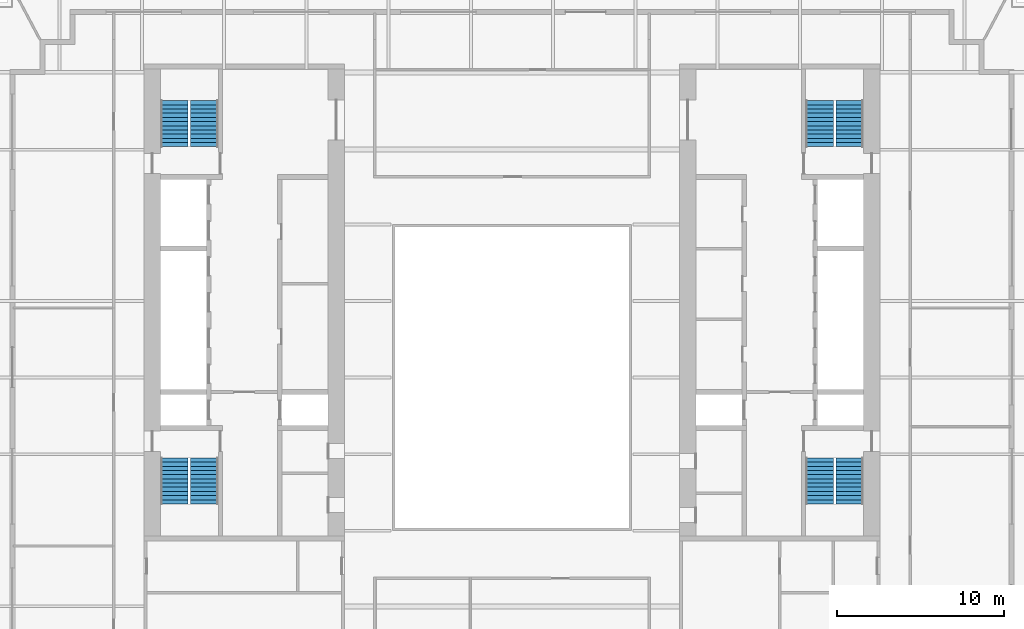
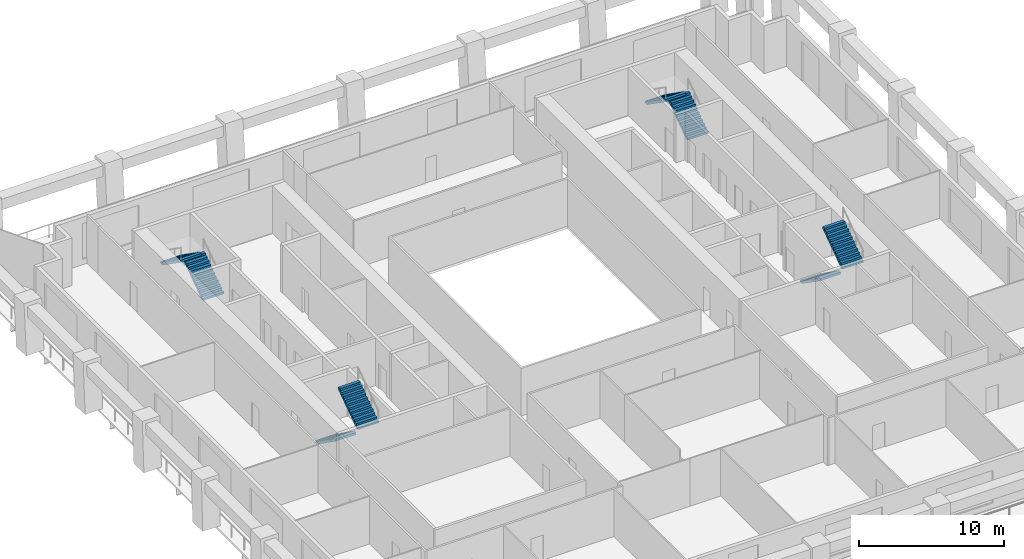
# One storey, part 8 of 9: 8 stair flights, 4 elements without a shape of their own.
"""IFC4 building model written with IfcOpenShell, lengths in metres."""

import ifcopenshell
import ifcopenshell.guid

model = None  # the IFC model being written
_history = None  # IfcOwnerHistory: only IFC2X3 demands one
_inside = {}  # id of a spatial element -> (the spatial element, [elements in it])
_under = {}  # id of a project, library or spatial element -> (it, [spatial elements below it])
_declared = {}  # id of a project -> (the project, [libraries it declares])
_typed = {}  # id of a type object -> (the type object, [elements of that type])
_made_of = {}  # id of a material, layer set ... -> (it, [elements and type objects made of it])


def new_model(schema):
    """Start an empty IFC model of exactly this schema.

    Asked for "IFC4X3", IfcOpenShell would pick the latest addendum, in which some entities
    have other attributes; the version numbers below select the first issue.
    IFC2X3 requires an IfcOwnerHistory on every rooted entity: one is made here for all.
    """
    global model, _history
    if schema == "IFC4X3":
        model = ifcopenshell.file(schema_version=(4, 3, 0, 0))
    else:
        model = ifcopenshell.file(schema=schema)
    _inside.clear()
    _under.clear()
    _declared.clear()
    _typed.clear()
    _made_of.clear()
    _history = None
    if model.schema == "IFC2X3":
        org = make("IfcOrganization", Name="unknown")
        user = make(
            "IfcPersonAndOrganization",
            ThePerson=make("IfcPerson", FamilyName="unknown"),
            TheOrganization=org,
        )
        app = make(
            "IfcApplication",
            ApplicationDeveloper=org,
            Version="unknown",
            ApplicationFullName="unknown",
            ApplicationIdentifier="unknown",
        )
        _history = make(
            "IfcOwnerHistory",
            OwningUser=user,
            OwningApplication=app,
            ChangeAction="ADDED",
            CreationDate=0,
        )
    return model


def make(cls, **values):
    """One entity of the class cls with the attributes given. An attribute that is None is left unset."""
    return model.create_entity(
        cls, **{name: value for name, value in values.items() if value is not None}
    )


def rooted(cls, **values):
    """An entity with a GlobalId (a new one), such as an element, a storey or a relation."""
    return make(cls, GlobalId=ifcopenshell.guid.new(), OwnerHistory=_history, **values)


def si_unit(unit_type, name, prefix=None):
    """IfcSIUnit, for example si_unit("LENGTHUNIT", "METRE", prefix="MILLI")."""
    return make("IfcSIUnit", UnitType=unit_type, Prefix=prefix, Name=name)


def assignment(units):
    """IfcUnitAssignment: the units of a project."""
    return None if units is None else make("IfcUnitAssignment", Units=units)


def point(xyz):
    """IfcCartesianPoint."""
    return None if xyz is None else make("IfcCartesianPoint", Coordinates=xyz)


def direction(xyz):
    """IfcDirection."""
    return None if xyz is None else make("IfcDirection", DirectionRatios=xyz)


def frame(location, z_axis=None, x_axis=None):
    """IfcAxis2Placement3D, a coordinate frame: its origin and axes. An axis left out is left unset."""
    return make(
        "IfcAxis2Placement3D",
        Location=point(location),
        Axis=direction(z_axis),
        RefDirection=direction(x_axis),
    )


def origin():
    """The frame at (0, 0, 0) with its axes left unset."""
    return frame((0.0, 0.0, 0.0))


def place(relative_to, where):
    """IfcLocalPlacement: puts the frame where relative to a parent placement (None: the world)."""
    return make(
        "IfcLocalPlacement", PlacementRelTo=relative_to, RelativePlacement=where
    )


def context(
    kind, dimensions, precision=None, world=None, true_north=None, identifier=None
):
    """IfcGeometricRepresentationContext, for example the 3D "Model" context."""
    return make(
        "IfcGeometricRepresentationContext",
        ContextIdentifier=identifier,
        ContextType=kind,
        CoordinateSpaceDimension=dimensions,
        Precision=precision,
        WorldCoordinateSystem=world,
        TrueNorth=true_north,
    )


def subcontext(parent, identifier, kind, view, scale=None):
    """IfcGeometricRepresentationSubContext, for example "Body" below "Model"."""
    return make(
        "IfcGeometricRepresentationSubContext",
        ContextIdentifier=identifier,
        ContextType=kind,
        ParentContext=parent,
        TargetScale=scale,
        TargetView=view,
    )


def project(units=None, contexts=None):
    """IfcProject with its units and contexts."""
    return rooted(
        "IfcProject",
        Name="project",
        RepresentationContexts=contexts,
        UnitsInContext=assignment(units),
    )


def spatial(cls, under=None, at=None, **own):
    """A site, building, storey or space (cls), placed at a placement, below another one or the project."""
    s = rooted(cls, ObjectPlacement=at, **own)
    if under is not None:
        _under.setdefault(under.id(), (under, []))[1].append(s)
    return s


def polyline(points):
    """IfcPolyline through the points."""
    return make("IfcPolyline", Points=[point(p) for p in points])


def outline(outer, holes=None, kind="AREA"):
    """IfcArbitraryClosedProfileDef: a profile drawn as a closed curve; with holes, ...WithVoids."""
    if holes is None:
        return make("IfcArbitraryClosedProfileDef", ProfileType=kind, OuterCurve=outer)
    return make(
        "IfcArbitraryProfileDefWithVoids",
        ProfileType=kind,
        OuterCurve=outer,
        InnerCurves=holes,
    )


def extrude(swept, where, along, depth):
    """IfcExtrudedAreaSolid: the profile swept, set in the frame where, extruded along a direction by depth."""
    return make(
        "IfcExtrudedAreaSolid",
        SweptArea=swept,
        Position=where,
        ExtrudedDirection=direction(along),
        Depth=depth,
    )


def shape(context_of_items, identifier, shape_type, items):
    """IfcShapeRepresentation: the items that make up one representation, for example the "Body"."""
    return make(
        "IfcShapeRepresentation",
        ContextOfItems=context_of_items,
        RepresentationIdentifier=identifier,
        RepresentationType=shape_type,
        Items=items,
    )


def material(Name=None, Category=None):
    """IfcMaterial."""
    return make("IfcMaterial", Name=Name, Category=Category)


def made_of(thing, what):
    """Note that an element or type object is made of a material, layer set ...; save() writes the relation."""
    if what is not None:
        _made_of.setdefault(what.id(), (what, []))[1].append(thing)
    return thing


def type_object(cls, material=None, **own):
    """A type object (cls), such as IfcWallType, which elements share."""
    return made_of(rooted(cls, **own), material)


def element(
    cls,
    number,
    at=None,
    inside=None,
    cuts=None,
    type_object=None,
    material=None,
    context=None,
    identifier="Body",
    shape_type=None,
    held_by="IfcProductDefinitionShape",
    body=None,
    shapes=None,
    **own,
):
    """One element of the class cls, such as IfcWall. Its Tag is "e" and its number.

    at: its placement. inside: the storey or other place that contains it. cuts: it is an
    opening in that element (IfcRelVoidsElement). A single representation is given by context,
    identifier, shape_type and body (its items); several are given by shapes. held_by: the class
    of the entity that holds the representations. save() writes the other relations.
    """
    e = rooted(cls, Tag="e%d" % number, ObjectPlacement=at, **own)
    if body is not None:
        shapes = [shape(context, identifier, shape_type, body)]
    if shapes is not None:
        e.Representation = make(held_by, Representations=shapes)
    if inside is not None:
        _inside.setdefault(inside.id(), (inside, []))[1].append(e)
    if cuts is not None:
        rooted(
            "IfcRelVoidsElement", RelatingBuildingElement=cuts, RelatedOpeningElement=e
        )
    if type_object is not None:
        _typed.setdefault(type_object.id(), (type_object, []))[1].append(e)
    return made_of(e, material)


def aggregate(whole, parts):
    """IfcRelAggregates: a whole, such as a stair, and the parts it consists of."""
    return rooted("IfcRelAggregates", RelatingObject=whole, RelatedObjects=parts)


def save(model, path):
    """Write the relations noted so far, then the file.

    IfcRelAggregates (storeys below a building ...), IfcRelContainedInSpatialStructure (elements
    in a storey), IfcRelDefinesByType, IfcRelAssociatesMaterial and IfcRelDeclares: one each for
    every whole, place, type object, material and project.
    """
    for whole, parts in _under.values():
        aggregate(whole, parts)
    for where, things in _inside.values():
        rooted(
            "IfcRelContainedInSpatialStructure",
            RelatedElements=things,
            RelatingStructure=where,
        )
    for kind, things in _typed.values():
        rooted("IfcRelDefinesByType", RelatedObjects=things, RelatingType=kind)
    for what, things in _made_of.values():
        rooted("IfcRelAssociatesMaterial", RelatedObjects=things, RelatingMaterial=what)
    for by, libraries in _declared.values():
        rooted("IfcRelDeclares", RelatingContext=by, RelatedDefinitions=libraries)
    model.write(path)


model = new_model("IFC4")

# Units and contexts
model_context = context("Model", 3, precision=1e-05, world=origin(), true_north=direction((0.0, 1.0)))
body_context = subcontext(model_context, "Body", "Model", "MODEL_VIEW")
ifc_project = project(units=[si_unit("LENGTHUNIT", "METRE"), si_unit("AREAUNIT", "SQUARE_METRE"), si_unit("VOLUMEUNIT", "CUBIC_METRE"), si_unit("PLANEANGLEUNIT", "RADIAN"), si_unit("MASSUNIT", "GRAM", prefix="KILO")], contexts=[model_context])

# Site, building, storey
site_placement = place(None, origin())
site = spatial("IfcSite", under=ifc_project, at=site_placement, CompositionType="ELEMENT")
building_placement = place(site_placement, origin())
building = spatial("IfcBuilding", under=site, at=building_placement, Name="Ogive Exchange Tower", CompositionType="ELEMENT")
storey_placement = place(building_placement, frame((0.0, 0.0, 56.39990234375)))
storey = spatial("IfcBuildingStorey", under=building, at=storey_placement, Name="L11", CompositionType="ELEMENT", Elevation=56.39990234375)

# Stair, stair flights
ifc_material = material(Name="Concrete C40/50", Category="concrete")
stair_type = type_object("IfcStairType", Name="Exit stair 1650 wide", PredefinedType="HALF_TURN_STAIR", material=ifc_material)
stair_1_placement = place(storey_placement, origin())
stair_1 = element("IfcStair", 1, at=stair_1_placement, inside=storey, type_object=stair_type, Name="L11 exit stair ST1", PredefinedType="HALF_TURN_STAIR")
stair_flight_type = type_object("IfcStairFlightType", Name="Stair flight 1650 wide", PredefinedType="STRAIGHT", material=ifc_material)
stair_flight_1_placement = place(storey_placement, frame((-20.175048828125, 2.199951171875, 0.0), z_axis=(0.0, 0.0, 1.0), x_axis=(0.0, -1.0, 0.0)))
stair_flight_1 = element("IfcStairFlight", 2, at=stair_flight_1_placement, type_object=stair_flight_type, Name="ST1 flight 1", NumberOfRisers=12, NumberOfTreads=11, PredefinedType="STRAIGHT", RiserHeight=0.175, TreadLength=0.25, context=body_context, shape_type="SweptSolid", body=[
    extrude(outline(polyline([(0.0, 0.0), (0.0, 0.175048828125), (0.25, 0.175048828125), (0.25, 0.35009765625), (0.5, 0.35009765625), (0.5, 0.52490234375), (0.75, 0.52490234375), (0.75, 0.699951171875), (1.0, 0.699951171875), (1.0, 0.875), (1.25, 0.875), (1.25, 1.050048828125), (1.5, 1.050048828125), (1.5, 1.22509765625), (1.75, 1.22509765625), (1.75, 1.39990234375), (2.0, 1.39990234375), (2.0, 1.574951171875), (2.25, 1.574951171875), (2.25, 1.75), (2.5, 1.75), (2.5, 1.925048828125), (2.75, 1.925048828125), (2.75, 2.10009765625), (2.75, 1.741943359375), (0.261474609375, 0.0), (0.0, 0.0)])), frame((0.0, 0.824951171875, 0.0), z_axis=(0.0, -1.0, 0.0), x_axis=(1.0, 0.0, 0.0)), (0.0, 0.0, 1.0), 1.64990234375),
])
stair_flight_2_placement = place(storey_placement, frame((-18.375, -0.550048828125, 2.10009765625), z_axis=(0.0, 0.0, 1.0), x_axis=(0.0, 1.0, 0.0)))
stair_flight_2 = element("IfcStairFlight", 3, at=stair_flight_2_placement, type_object=stair_flight_type, Name="ST1 flight 2", NumberOfRisers=12, NumberOfTreads=11, PredefinedType="STRAIGHT", RiserHeight=0.175, TreadLength=0.25, context=body_context, shape_type="SweptSolid", body=[
    extrude(outline(polyline([(0.0, 0.0), (0.0, 0.175048828125), (0.25, 0.175048828125), (0.25, 0.35009765625), (0.5, 0.35009765625), (0.5, 0.52490234375), (0.75, 0.52490234375), (0.75, 0.699951171875), (1.0, 0.699951171875), (1.0, 0.875), (1.25, 0.875), (1.25, 1.050048828125), (1.5, 1.050048828125), (1.5, 1.22509765625), (1.75, 1.22509765625), (1.75, 1.39990234375), (2.0, 1.39990234375), (2.0, 1.574951171875), (2.25, 1.574951171875), (2.25, 1.75), (2.5, 1.75), (2.5, 1.925048828125), (2.75, 1.925048828125), (2.75, 2.10009765625), (2.75, 1.741943359375), (0.261474609375, 0.0), (0.0, 0.0)])), frame((0.0, 0.824951171875, 0.0), z_axis=(0.0, -1.0, 0.0), x_axis=(1.0, 0.0, 0.0)), (0.0, 0.0, 1.0), 1.64990234375),
])
aggregate(stair_1, [stair_flight_1, stair_flight_2])

stair_2_placement = place(storey_placement, origin())
stair_2 = element("IfcStair", 4, at=stair_2_placement, inside=storey, type_object=stair_type, Name="L11 exit stair ST2", PredefinedType="HALF_TURN_STAIR")
stair_flight_3_placement = place(storey_placement, frame((-18.375, 20.800048828125, 0.0), z_axis=(0.0, 0.0, 1.0), x_axis=(0.0, 1.0, 0.0)))
stair_flight_3 = element("IfcStairFlight", 5, at=stair_flight_3_placement, type_object=stair_flight_type, Name="ST2 flight 1", NumberOfRisers=12, NumberOfTreads=11, PredefinedType="STRAIGHT", RiserHeight=0.175, TreadLength=0.25, context=body_context, shape_type="SweptSolid", body=[
    extrude(outline(polyline([(0.0, 0.0), (0.0, 0.175048828125), (0.25, 0.175048828125), (0.25, 0.35009765625), (0.5, 0.35009765625), (0.5, 0.52490234375), (0.75, 0.52490234375), (0.75, 0.699951171875), (1.0, 0.699951171875), (1.0, 0.875), (1.25, 0.875), (1.25, 1.050048828125), (1.5, 1.050048828125), (1.5, 1.22509765625), (1.75, 1.22509765625), (1.75, 1.39990234375), (2.0, 1.39990234375), (2.0, 1.574951171875), (2.25, 1.574951171875), (2.25, 1.75), (2.5, 1.75), (2.5, 1.925048828125), (2.75, 1.925048828125), (2.75, 2.10009765625), (2.75, 1.741943359375), (0.261474609375, 0.0), (0.0, 0.0)])), frame((0.0, 0.824951171875, 0.0), z_axis=(0.0, -1.0, 0.0), x_axis=(1.0, 0.0, 0.0)), (0.0, 0.0, 1.0), 1.64990234375),
])
stair_flight_4_placement = place(storey_placement, frame((-20.175048828125, 23.550048828125, 2.10009765625), z_axis=(0.0, 0.0, 1.0), x_axis=(0.0, -1.0, 0.0)))
stair_flight_4 = element("IfcStairFlight", 6, at=stair_flight_4_placement, type_object=stair_flight_type, Name="ST2 flight 2", NumberOfRisers=12, NumberOfTreads=11, PredefinedType="STRAIGHT", RiserHeight=0.175, TreadLength=0.25, context=body_context, shape_type="SweptSolid", body=[
    extrude(outline(polyline([(0.0, 0.0), (0.0, 0.175048828125), (0.25, 0.175048828125), (0.25, 0.35009765625), (0.5, 0.35009765625), (0.5, 0.52490234375), (0.75, 0.52490234375), (0.75, 0.699951171875), (1.0, 0.699951171875), (1.0, 0.875), (1.25, 0.875), (1.25, 1.050048828125), (1.5, 1.050048828125), (1.5, 1.22509765625), (1.75, 1.22509765625), (1.75, 1.39990234375), (2.0, 1.39990234375), (2.0, 1.574951171875), (2.25, 1.574951171875), (2.25, 1.75), (2.5, 1.75), (2.5, 1.925048828125), (2.75, 1.925048828125), (2.75, 2.10009765625), (2.75, 1.741943359375), (0.261474609375, 0.0), (0.0, 0.0)])), frame((0.0, 0.824951171875, 0.0), z_axis=(0.0, -1.0, 0.0), x_axis=(1.0, 0.0, 0.0)), (0.0, 0.0, 1.0), 1.64990234375),
])
aggregate(stair_2, [stair_flight_3, stair_flight_4])

stair_3_placement = place(storey_placement, origin())
stair_3 = element("IfcStair", 7, at=stair_3_placement, inside=storey, type_object=stair_type, Name="L11 exit stair ST3", PredefinedType="HALF_TURN_STAIR")
stair_flight_5_placement = place(storey_placement, frame((18.375, 2.199951171875, 0.0), z_axis=(0.0, 0.0, 1.0), x_axis=(0.0, -1.0, 0.0)))
stair_flight_5 = element("IfcStairFlight", 8, at=stair_flight_5_placement, type_object=stair_flight_type, Name="ST3 flight 1", NumberOfRisers=12, NumberOfTreads=11, PredefinedType="STRAIGHT", RiserHeight=0.175, TreadLength=0.25, context=body_context, shape_type="SweptSolid", body=[
    extrude(outline(polyline([(0.0, 0.0), (0.0, 0.175048828125), (0.25, 0.175048828125), (0.25, 0.35009765625), (0.5, 0.35009765625), (0.5, 0.52490234375), (0.75, 0.52490234375), (0.75, 0.699951171875), (1.0, 0.699951171875), (1.0, 0.875), (1.25, 0.875), (1.25, 1.050048828125), (1.5, 1.050048828125), (1.5, 1.22509765625), (1.75, 1.22509765625), (1.75, 1.39990234375), (2.0, 1.39990234375), (2.0, 1.574951171875), (2.25, 1.574951171875), (2.25, 1.75), (2.5, 1.75), (2.5, 1.925048828125), (2.75, 1.925048828125), (2.75, 2.10009765625), (2.75, 1.741943359375), (0.261474609375, 0.0), (0.0, 0.0)])), frame((0.0, 0.824951171875, 0.0), z_axis=(0.0, -1.0, 0.0), x_axis=(1.0, 0.0, 0.0)), (0.0, 0.0, 1.0), 1.64990234375),
])
stair_flight_6_placement = place(storey_placement, frame((20.175048828125, -0.550048828125, 2.10009765625), z_axis=(0.0, 0.0, 1.0), x_axis=(0.0, 1.0, 0.0)))
stair_flight_6 = element("IfcStairFlight", 9, at=stair_flight_6_placement, type_object=stair_flight_type, Name="ST3 flight 2", NumberOfRisers=12, NumberOfTreads=11, PredefinedType="STRAIGHT", RiserHeight=0.175, TreadLength=0.25, context=body_context, shape_type="SweptSolid", body=[
    extrude(outline(polyline([(0.0, 0.0), (0.0, 0.175048828125), (0.25, 0.175048828125), (0.25, 0.35009765625), (0.5, 0.35009765625), (0.5, 0.52490234375), (0.75, 0.52490234375), (0.75, 0.699951171875), (1.0, 0.699951171875), (1.0, 0.875), (1.25, 0.875), (1.25, 1.050048828125), (1.5, 1.050048828125), (1.5, 1.22509765625), (1.75, 1.22509765625), (1.75, 1.39990234375), (2.0, 1.39990234375), (2.0, 1.574951171875), (2.25, 1.574951171875), (2.25, 1.75), (2.5, 1.75), (2.5, 1.925048828125), (2.75, 1.925048828125), (2.75, 2.10009765625), (2.75, 1.741943359375), (0.261474609375, 0.0), (0.0, 0.0)])), frame((0.0, 0.824951171875, 0.0), z_axis=(0.0, -1.0, 0.0), x_axis=(1.0, 0.0, 0.0)), (0.0, 0.0, 1.0), 1.64990234375),
])
aggregate(stair_3, [stair_flight_5, stair_flight_6])

stair_4_placement = place(storey_placement, origin())
stair_4 = element("IfcStair", 10, at=stair_4_placement, inside=storey, type_object=stair_type, Name="L11 exit stair ST4", PredefinedType="HALF_TURN_STAIR")
stair_flight_7_placement = place(storey_placement, frame((20.175048828125, 20.800048828125, 0.0), z_axis=(0.0, 0.0, 1.0), x_axis=(0.0, 1.0, 0.0)))
stair_flight_7 = element("IfcStairFlight", 11, at=stair_flight_7_placement, type_object=stair_flight_type, Name="ST4 flight 1", NumberOfRisers=12, NumberOfTreads=11, PredefinedType="STRAIGHT", RiserHeight=0.175, TreadLength=0.25, context=body_context, shape_type="SweptSolid", body=[
    extrude(outline(polyline([(0.0, 0.0), (0.0, 0.175048828125), (0.25, 0.175048828125), (0.25, 0.35009765625), (0.5, 0.35009765625), (0.5, 0.52490234375), (0.75, 0.52490234375), (0.75, 0.699951171875), (1.0, 0.699951171875), (1.0, 0.875), (1.25, 0.875), (1.25, 1.050048828125), (1.5, 1.050048828125), (1.5, 1.22509765625), (1.75, 1.22509765625), (1.75, 1.39990234375), (2.0, 1.39990234375), (2.0, 1.574951171875), (2.25, 1.574951171875), (2.25, 1.75), (2.5, 1.75), (2.5, 1.925048828125), (2.75, 1.925048828125), (2.75, 2.10009765625), (2.75, 1.741943359375), (0.261474609375, 0.0), (0.0, 0.0)])), frame((0.0, 0.824951171875, 0.0), z_axis=(0.0, -1.0, 0.0), x_axis=(1.0, 0.0, 0.0)), (0.0, 0.0, 1.0), 1.64990234375),
])
stair_flight_8_placement = place(storey_placement, frame((18.375, 23.550048828125, 2.10009765625), z_axis=(0.0, 0.0, 1.0), x_axis=(0.0, -1.0, 0.0)))
stair_flight_8 = element("IfcStairFlight", 12, at=stair_flight_8_placement, type_object=stair_flight_type, Name="ST4 flight 2", NumberOfRisers=12, NumberOfTreads=11, PredefinedType="STRAIGHT", RiserHeight=0.175, TreadLength=0.25, context=body_context, shape_type="SweptSolid", body=[
    extrude(outline(polyline([(0.0, 0.0), (0.0, 0.175048828125), (0.25, 0.175048828125), (0.25, 0.35009765625), (0.5, 0.35009765625), (0.5, 0.52490234375), (0.75, 0.52490234375), (0.75, 0.699951171875), (1.0, 0.699951171875), (1.0, 0.875), (1.25, 0.875), (1.25, 1.050048828125), (1.5, 1.050048828125), (1.5, 1.22509765625), (1.75, 1.22509765625), (1.75, 1.39990234375), (2.0, 1.39990234375), (2.0, 1.574951171875), (2.25, 1.574951171875), (2.25, 1.75), (2.5, 1.75), (2.5, 1.925048828125), (2.75, 1.925048828125), (2.75, 2.10009765625), (2.75, 1.741943359375), (0.261474609375, 0.0), (0.0, 0.0)])), frame((0.0, 0.824951171875, 0.0), z_axis=(0.0, -1.0, 0.0), x_axis=(1.0, 0.0, 0.0)), (0.0, 0.0, 1.0), 1.64990234375),
])
aggregate(stair_4, [stair_flight_7, stair_flight_8])

save(model, "model.ifc")
